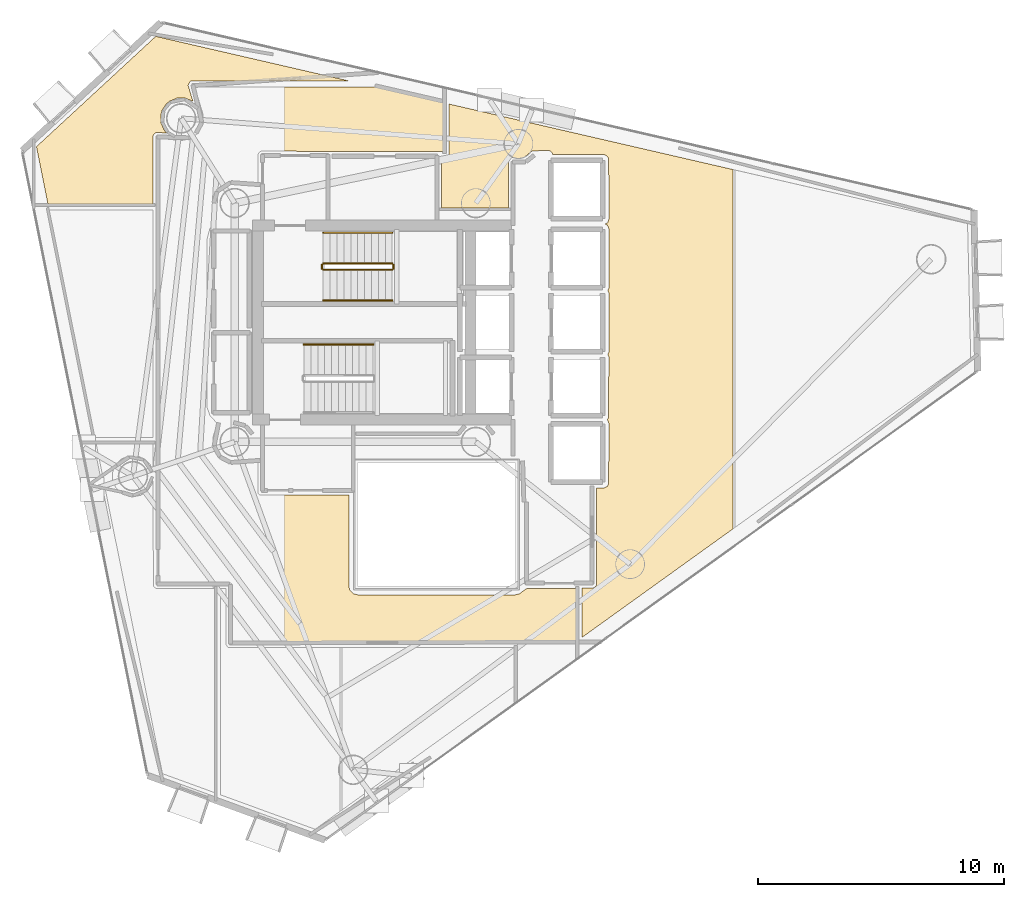
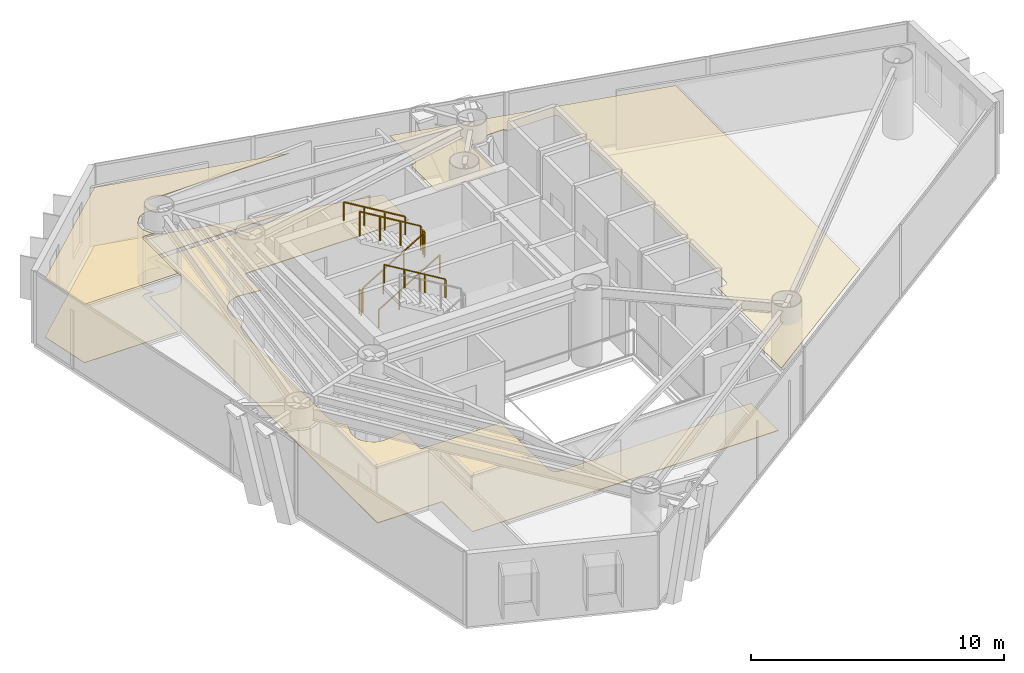
# One storey, part 21 of 22: 7 railings, 4 coverings.
"""IFC4 building model written with IfcOpenShell, lengths in metres."""

from ifc_helpers import new_model, si_unit, direction, frame, origin, origin_2d, place, context, subcontext, project, spatial, polyline, rectangle, outline, extrude, material, layer, layer_set, type_object, element, save


model = new_model("IFC4")

# Units and contexts
model_context = context("Model", 3, precision=1e-05, world=origin(), true_north=direction((0.0, 1.0)))
body_context = subcontext(model_context, "Body", "Model", "MODEL_VIEW")
ifc_project = project(units=[si_unit("LENGTHUNIT", "METRE"), si_unit("AREAUNIT", "SQUARE_METRE"), si_unit("VOLUMEUNIT", "CUBIC_METRE"), si_unit("PLANEANGLEUNIT", "RADIAN"), si_unit("MASSUNIT", "GRAM", prefix="KILO")], contexts=[model_context])

# Site, building, storey
site_placement = place(None, origin())
site = spatial("IfcSite", under=ifc_project, at=site_placement, CompositionType="ELEMENT")
building_placement = place(site_placement, origin())
building = spatial("IfcBuilding", under=site, at=building_placement, Name="Qianvela Tower", CompositionType="ELEMENT")
storey_placement = place(building_placement, frame((0.0, 0.0, 196.60009765625)))
storey = spatial("IfcBuildingStorey", under=building, at=storey_placement, Name="L50", CompositionType="ELEMENT", Elevation=196.60009765625)

# Coverings
ifc_material_1 = material(Name="Perforated Mineral Acoustic Ceiling Tile")
ifc_layer_1 = layer(ifc_material_1, 0.02490234375)
ifc_layer_set_1 = layer_set([ifc_layer_1], Name="Perforated Mineral Acoustic Ceiling Tile")
covering_type_1 = type_object("IfcCoveringType", Name="COV-CEIL-ACOUSTIC-25", PredefinedType="CEILING", material=ifc_layer_set_1)
covering_1_placement = place(storey_placement, frame((0.0, 0.0, 2.81494140625)))
element("IfcCovering", 1, at=covering_1_placement, inside=storey, type_object=covering_type_1, Name="L50 Acoustic Ceiling Bay 1 Collaborative Co-working Office L50-02", PredefinedType="CEILING", context=body_context, shape_type="SweptSolid", body=[
    extrude(outline(polyline([(42.70751953125, 17.920166015625), (43.157958984375, 17.92041015625), (43.165771484375, 17.9208984375), (43.173583984375, 17.921875), (43.18115234375, 17.923828125), (43.1884765625, 17.926513671875), (43.195556640625, 17.9296875), (43.202392578125, 17.933837890625), (43.20849609375, 17.9384765625), (43.21435546875, 17.94384765625), (43.2861328125, 18.015625), (43.29150390625, 18.021484375), (43.296142578125, 18.027587890625), (43.30029296875, 18.034423828125), (43.303466796875, 18.04150390625), (43.30615234375, 18.048828125), (43.30810546875, 18.056640625), (43.30908203125, 18.064208984375), (43.3095703125, 18.072265625), (43.309326171875, 21.980712890625), (43.60791015625, 21.982666015625), (43.615478515625, 21.983154296875), (43.623291015625, 21.984375), (43.630859375, 21.986083984375), (43.637939453125, 21.98876953125), (43.64501953125, 21.9921875), (43.716796875, 22.030517578125), (43.723388671875, 22.034423828125), (43.729736328125, 22.039306640625), (43.735595703125, 22.04443359375), (43.74072265625, 22.05029296875), (43.74560546875, 22.056640625), (43.74951171875, 22.063232421875), (43.787841796875, 22.135009765625), (43.791259765625, 22.14208984375), (43.7939453125, 22.1494140625), (43.7958984375, 22.156982421875), (43.796875, 22.164794921875), (43.79736328125, 22.172607421875), (43.79931640625, 24.61376953125), (43.799072265625, 24.62060546875), (43.798095703125, 24.627685546875), (43.79638671875, 24.634765625), (43.79443359375, 24.641357421875), (43.79150390625, 24.64794921875), (43.751220703125, 24.733154296875), (43.74755859375, 24.739990234375), (43.743408203125, 24.74658203125), (43.738525390625, 24.752197265625), (43.780517578125, 24.81494140625), (43.784423828125, 24.821533203125), (43.787841796875, 24.82861328125), (43.79052734375, 24.8359375), (43.79248046875, 24.843505859375), (43.793701171875, 24.851318359375), (43.7939453125, 24.859130859375), (43.800048828125, 27.2998046875), (43.799560546875, 27.307861328125), (43.79833984375, 27.315673828125), (43.79638671875, 27.323486328125), (43.793701171875, 27.3310546875), (43.7646484375, 27.39990234375), (43.793701171875, 27.468994140625), (43.79638671875, 27.476318359375), (43.79833984375, 27.484130859375), (43.799560546875, 27.491943359375), (43.800048828125, 27.5), (43.800048828125, 29.89990234375), (43.799560546875, 29.907958984375), (43.79833984375, 29.915771484375), (43.79638671875, 29.923583984375), (43.793701171875, 29.93115234375), (43.7646484375, 30.0), (43.793701171875, 30.06884765625), (43.79638671875, 30.076416015625), (43.79833984375, 30.084228515625), (43.799560546875, 30.092041015625), (43.800048828125, 30.10009765625), (43.79931640625, 32.513671875), (43.798828125, 32.522705078125), (43.79736328125, 32.53125), (43.794921875, 32.539794921875), (43.79150390625, 32.5478515625), (43.751220703125, 32.63330078125), (43.74755859375, 32.64013671875), (43.743408203125, 32.646728515625), (43.73828125, 32.652587890625), (43.732666015625, 32.658203125), (43.726806640625, 32.663330078125), (43.72021484375, 32.66748046875), (43.713134765625, 32.67138671875), (43.646484375, 32.702880859375), (43.722412109375, 32.739013671875), (43.729248046875, 32.74267578125), (43.73583984375, 32.746826171875), (43.741943359375, 32.751953125), (43.74755859375, 32.757568359375), (43.75244140625, 32.763427734375), (43.7568359375, 32.77001953125), (43.760498046875, 32.777099609375), (43.763427734375, 32.7841796875), (43.79541015625, 32.873046875), (43.79736328125, 32.879638671875), (43.798828125, 32.886474609375), (43.7998046875, 32.893310546875), (43.800048828125, 32.900146484375), (43.79736328125, 35.327392578125), (43.796875, 35.3359375), (43.79541015625, 35.344482421875), (43.793212890625, 35.352783203125), (43.7900390625, 35.36083984375), (43.785888671875, 35.368408203125), (43.7373046875, 35.44921875), (43.732666015625, 35.456298828125), (43.727294921875, 35.462890625), (43.72119140625, 35.46875), (43.71435546875, 35.47412109375), (43.70703125, 35.478515625), (43.699462890625, 35.482177734375), (43.624267578125, 35.51318359375), (43.616943359375, 35.515869140625), (43.609375, 35.517822265625), (43.6015625, 35.518798828125), (43.59375, 35.519287109375), (41.515625, 35.52001953125), (41.513916015625, 35.554931640625), (41.512939453125, 35.563232421875), (41.51123046875, 35.5712890625), (41.508544921875, 35.5791015625), (41.50537109375, 35.5869140625), (41.501220703125, 35.593994140625), (41.496337890625, 35.6005859375), (41.49072265625, 35.60693359375), (41.484619140625, 35.612548828125), (41.426513671875, 35.660400390625), (41.419921875, 35.6650390625), (41.413330078125, 35.6689453125), (41.406005859375, 35.67236328125), (41.398681640625, 35.675048828125), (41.39111328125, 35.677001953125), (41.38330078125, 35.677978515625), (41.37548828125, 35.678466796875), (40.726806640625, 35.676513671875), (40.718994140625, 35.67626953125), (40.71142578125, 35.675048828125), (40.7041015625, 35.67333984375), (40.697021484375, 35.670654296875), (40.68994140625, 35.66748046875), (40.683349609375, 35.663818359375), (40.677001953125, 35.6591796875), (40.35986328125, 35.40673828125), (40.129150390625, 35.36083984375), (39.884521484375, 35.402099609375), (39.87646484375, 35.403076171875), (39.8681640625, 35.4033203125), (39.860107421875, 35.402587890625), (39.85205078125, 35.40087890625), (39.84423828125, 35.398681640625), (39.8369140625, 35.3955078125), (39.82958984375, 35.3916015625), (39.822998046875, 35.38720703125), (39.7578125, 35.337890625), (39.75146484375, 35.332763671875), (39.745849609375, 35.326904296875), (39.74072265625, 35.3203125), (39.736328125, 35.3134765625), (39.732666015625, 35.30615234375), (39.729736328125, 35.298583984375), (39.727783203125, 35.29052734375), (39.726318359375, 35.282470703125), (39.72607421875, 35.2744140625), (39.72021484375, 33.342041015625), (37.010009765625, 33.342041015625), (37.010009765625, 35.40087890625), (37.165771484375, 35.401611328125), (37.174072265625, 35.402099609375), (37.18212890625, 35.4033203125), (37.190185546875, 35.405517578125), (37.197998046875, 35.408447265625), (37.205322265625, 35.412109375), (37.21240234375, 35.416748046875), (37.21875, 35.421875), (37.224609375, 35.427734375), (37.288818359375, 35.498291015625), (37.29345703125, 35.50390625), (37.297607421875, 35.510009765625), (37.30126953125, 35.5166015625), (37.30419921875, 35.523193359375), (37.306640625, 35.5302734375), (37.308349609375, 35.53759765625), (37.309326171875, 35.544921875), (37.3095703125, 35.552001953125), (37.31005859375, 37.57568359375), (48.844482421875, 34.9140625), (48.844482421875, 20.31689453125), (42.709716796875, 15.906494140625), (42.70751953125, 17.920166015625)])), origin(), (0.0, 0.0, 1.0), 0.02490234375),
])
covering_2_placement = place(storey_placement, frame((0.0, 0.0, 2.81494140625)))
element("IfcCovering", 2, at=covering_2_placement, inside=storey, type_object=covering_type_1, Name="L50 Acoustic Ceiling Quiet Desk Workspace L50-03", PredefinedType="CEILING", context=body_context, shape_type="SweptSolid", body=[
    extrude(outline(polyline([(25.845947265625, 36.39013671875), (25.457763671875, 36.42822265625), (25.449462890625, 36.4287109375), (25.44091796875, 36.427978515625), (25.4326171875, 36.4267578125), (25.424560546875, 36.424560546875), (25.416748046875, 36.42138671875), (25.409423828125, 36.41748046875), (25.40234375, 36.412841796875), (25.32568359375, 36.356201171875), (25.3193359375, 36.350830078125), (25.313720703125, 36.344970703125), (25.308349609375, 36.33837890625), (25.303955078125, 36.33154296875), (25.30029296875, 36.32421875), (25.29736328125, 36.31640625), (25.295166015625, 36.308349609375), (25.2939453125, 36.30029296875), (25.29345703125, 36.2919921875), (25.2900390625, 33.52197265625), (21.01708984375, 33.52197265625), (20.55078125, 35.843994140625), (25.398193359375, 40.32421875), (33.2626953125, 38.509521484375), (26.841064453125, 38.50390625), (26.833251953125, 38.50341796875), (26.825439453125, 38.50244140625), (26.81787109375, 38.50048828125), (26.810546875, 38.497802734375), (26.803466796875, 38.494384765625), (26.796630859375, 38.490478515625), (26.790283203125, 38.485595703125), (26.78466796875, 38.48046875), (26.779296875, 38.474609375), (26.774658203125, 38.468505859375), (26.770751953125, 38.461669921875), (26.722900390625, 38.3720703125), (26.719482421875, 38.364990234375), (26.716796875, 38.357666015625), (26.71484375, 38.35009765625), (26.7138671875, 38.34228515625), (26.71337890625, 38.33447265625), (26.713623046875, 38.32666015625), (26.71484375, 38.31884765625), (26.716796875, 38.311279296875), (26.906982421875, 37.68310546875), (26.904052734375, 37.685791015625), (26.897705078125, 37.6904296875), (26.890869140625, 37.694580078125), (26.8837890625, 37.69775390625), (26.60986328125, 37.811279296875), (26.6025390625, 37.81396484375), (26.594970703125, 37.81591796875), (26.587158203125, 37.81689453125), (26.579345703125, 37.8173828125), (26.28271484375, 37.8173828125), (26.27490234375, 37.81689453125), (26.26708984375, 37.81591796875), (26.259521484375, 37.81396484375), (26.252197265625, 37.811279296875), (25.978271484375, 37.69775390625), (25.97119140625, 37.694580078125), (25.96435546875, 37.6904296875), (25.9580078125, 37.685791015625), (25.8427734375, 37.59130859375), (25.8369140625, 37.5859375), (25.831787109375, 37.580078125), (25.8271484375, 37.57373046875), (25.662353515625, 37.327392578125), (25.658203125, 37.320556640625), (25.65478515625, 37.3134765625), (25.65234375, 37.30615234375), (25.60888671875, 37.16357421875), (25.607177734375, 37.156005859375), (25.60595703125, 37.148193359375), (25.605712890625, 37.140380859375), (25.605712890625, 36.84375), (25.60595703125, 36.8359375), (25.607177734375, 36.828125), (25.60888671875, 36.820556640625), (25.61181640625, 36.81298828125), (25.72509765625, 36.539306640625), (25.728515625, 36.531982421875), (25.732666015625, 36.525390625), (25.7373046875, 36.51904296875), (25.831787109375, 36.40380859375), (25.8369140625, 36.39794921875), (25.8427734375, 36.392822265625), (25.845947265625, 36.39013671875)])), origin(), (0.0, 0.0, 1.0), 0.02490234375),
])
ifc_material_2 = material(Name="Engineered Acoustic Oak Timber Flooring", Category="wood")
ifc_layer_2 = layer(ifc_material_2, 0.02001953125)
ifc_layer_set_2 = layer_set([ifc_layer_2], Name="Engineered Acoustic Oak Timber Flooring")
covering_type_2 = type_object("IfcCoveringType", Name="COV-FLOOR-OAK-20", PredefinedType="FLOORING", material=ifc_layer_set_2)
covering_3_placement = place(storey_placement, origin())
element("IfcCovering", 3, at=covering_3_placement, inside=storey, type_object=covering_type_2, Name="L50 Finish Flooring Quiet Desk Workspace L50-03", PredefinedType="FLOORING", context=body_context, shape_type="SweptSolid", body=[
    extrude(outline(polyline([(25.845947265625, 36.39013671875), (25.457763671875, 36.42822265625), (25.449462890625, 36.4287109375), (25.44091796875, 36.427978515625), (25.4326171875, 36.4267578125), (25.424560546875, 36.424560546875), (25.416748046875, 36.42138671875), (25.409423828125, 36.41748046875), (25.40234375, 36.412841796875), (25.32568359375, 36.356201171875), (25.3193359375, 36.350830078125), (25.313720703125, 36.344970703125), (25.308349609375, 36.33837890625), (25.303955078125, 36.33154296875), (25.30029296875, 36.32421875), (25.29736328125, 36.31640625), (25.295166015625, 36.308349609375), (25.2939453125, 36.30029296875), (25.29345703125, 36.2919921875), (25.2900390625, 33.52197265625), (21.01708984375, 33.52197265625), (20.55078125, 35.843994140625), (25.398193359375, 40.32421875), (33.2626953125, 38.509521484375), (26.841064453125, 38.50390625), (26.833251953125, 38.50341796875), (26.825439453125, 38.50244140625), (26.81787109375, 38.50048828125), (26.810546875, 38.497802734375), (26.803466796875, 38.494384765625), (26.796630859375, 38.490478515625), (26.790283203125, 38.485595703125), (26.78466796875, 38.48046875), (26.779296875, 38.474609375), (26.774658203125, 38.468505859375), (26.770751953125, 38.461669921875), (26.722900390625, 38.3720703125), (26.719482421875, 38.364990234375), (26.716796875, 38.357666015625), (26.71484375, 38.35009765625), (26.7138671875, 38.34228515625), (26.71337890625, 38.33447265625), (26.713623046875, 38.32666015625), (26.71484375, 38.31884765625), (26.716796875, 38.311279296875), (26.906982421875, 37.68310546875), (26.904052734375, 37.685791015625), (26.897705078125, 37.6904296875), (26.890869140625, 37.694580078125), (26.8837890625, 37.69775390625), (26.60986328125, 37.811279296875), (26.6025390625, 37.81396484375), (26.594970703125, 37.81591796875), (26.587158203125, 37.81689453125), (26.579345703125, 37.8173828125), (26.28271484375, 37.8173828125), (26.27490234375, 37.81689453125), (26.26708984375, 37.81591796875), (26.259521484375, 37.81396484375), (26.252197265625, 37.811279296875), (25.978271484375, 37.69775390625), (25.97119140625, 37.694580078125), (25.96435546875, 37.6904296875), (25.9580078125, 37.685791015625), (25.8427734375, 37.59130859375), (25.8369140625, 37.5859375), (25.831787109375, 37.580078125), (25.8271484375, 37.57373046875), (25.662353515625, 37.327392578125), (25.658203125, 37.320556640625), (25.65478515625, 37.3134765625), (25.65234375, 37.30615234375), (25.60888671875, 37.16357421875), (25.607177734375, 37.156005859375), (25.60595703125, 37.148193359375), (25.605712890625, 37.140380859375), (25.605712890625, 36.84375), (25.60595703125, 36.8359375), (25.607177734375, 36.828125), (25.60888671875, 36.820556640625), (25.61181640625, 36.81298828125), (25.72509765625, 36.539306640625), (25.728515625, 36.531982421875), (25.732666015625, 36.525390625), (25.7373046875, 36.51904296875), (25.831787109375, 36.40380859375), (25.8369140625, 36.39794921875), (25.8427734375, 36.392822265625), (25.845947265625, 36.39013671875)])), origin(), (0.0, 0.0, 1.0), 0.02001953125),
])
ifc_material_3 = material(Name="Honed Stone Terrazzo Flooring", Category="masonry")
ifc_layer_3 = layer(ifc_material_3, 0.030029296875)
ifc_layer_set_3 = layer_set([ifc_layer_3], Name="Honed Stone Terrazzo Flooring")
covering_type_3 = type_object("IfcCoveringType", Name="COV-FLOOR-TERRAZZO-30", PredefinedType="FLOORING", material=ifc_layer_set_3)
covering_4_placement = place(storey_placement, origin())
element("IfcCovering", 4, at=covering_4_placement, inside=storey, type_object=covering_type_3, Name="L50 Finish Flooring L50 Floor Corridor", PredefinedType="FLOORING", context=body_context, shape_type="SweptSolid", body=[
    extrude(outline(polyline([(27.30908203125, 36.801513671875), (27.311767578125, 36.808837890625), (27.313720703125, 36.81640625), (27.31494140625, 36.82421875), (27.315185546875, 36.83203125), (27.315185546875, 37.152099609375), (27.31494140625, 37.159912109375), (27.313720703125, 37.16748046875), (27.311767578125, 37.17529296875), (26.979736328125, 38.27001953125), (34.30029296875, 38.27001953125), (37.070068359375, 37.630859375), (37.070068359375, 35.64013671875), (29.68798828125, 35.660888671875), (29.680419921875, 35.660400390625), (29.672607421875, 35.6591796875), (29.664794921875, 35.657470703125), (29.657470703125, 35.65478515625), (29.650390625, 35.6513671875), (29.6435546875, 35.6474609375), (29.63720703125, 35.642578125), (29.63134765625, 35.637451171875), (29.626220703125, 35.631591796875), (29.576171875, 35.57080078125), (29.571533203125, 35.564453125), (29.5673828125, 35.5576171875), (29.564208984375, 35.550537109375), (29.561279296875, 35.543212890625), (29.5595703125, 35.53564453125), (29.558349609375, 35.52783203125), (29.55810546875, 35.52001953125), (29.55810546875, 34.35595703125), (28.60791015625, 34.44970703125), (28.60009765625, 34.449951171875), (28.59228515625, 34.44970703125), (28.43212890625, 34.433837890625), (28.42431640625, 34.4326171875), (28.416748046875, 34.430908203125), (28.409423828125, 34.42822265625), (28.11376953125, 34.3056640625), (28.106689453125, 34.302490234375), (28.10009765625, 34.29833984375), (28.09375, 34.293701171875), (28.087890625, 34.288330078125), (27.861572265625, 34.06201171875), (27.8564453125, 34.056396484375), (27.851806640625, 34.050048828125), (27.84765625, 34.043212890625), (27.84423828125, 34.0361328125), (27.7216796875, 33.740478515625), (27.71923828125, 33.733154296875), (27.71728515625, 33.7255859375), (27.716064453125, 33.7177734375), (27.700439453125, 33.557861328125), (27.699951171875, 33.550048828125), (27.700439453125, 33.542236328125), (27.716064453125, 33.382080078125), (27.71728515625, 33.37451171875), (27.71923828125, 33.36669921875), (27.865478515625, 32.884521484375), (27.60107421875, 32.52685546875), (27.5966796875, 32.5205078125), (27.593017578125, 32.513427734375), (27.590087890625, 32.50634765625), (27.587890625, 32.4990234375), (27.472412109375, 32.0458984375), (27.47119140625, 32.039306640625), (27.47021484375, 32.03271484375), (27.469970703125, 32.026123046875), (27.469970703125, 25.291259765625), (27.47021484375, 25.2841796875), (27.47119140625, 25.27734375), (27.47265625, 25.2705078125), (27.474853515625, 25.263916015625), (27.59326171875, 24.938232421875), (27.59619140625, 24.93115234375), (27.599853515625, 24.92431640625), (27.604248046875, 24.91796875), (27.609130859375, 24.911865234375), (27.89111328125, 24.599853515625), (27.71923828125, 24.033203125), (27.71728515625, 24.025634765625), (27.716064453125, 24.017822265625), (27.7158203125, 24.010009765625), (27.7158203125, 23.68994140625), (27.716064453125, 23.68212890625), (27.71728515625, 23.67431640625), (27.71923828125, 23.666748046875), (27.765869140625, 23.512939453125), (27.7685546875, 23.505615234375), (27.77197265625, 23.49853515625), (27.77587890625, 23.49169921875), (27.95361328125, 23.2255859375), (27.958251953125, 23.219482421875), (27.963623046875, 23.213623046875), (27.969482421875, 23.208251953125), (27.9755859375, 23.20361328125), (28.24169921875, 23.02587890625), (28.24853515625, 23.02197265625), (28.255615234375, 23.0185546875), (28.262939453125, 23.015869140625), (28.416748046875, 22.96923828125), (28.42431640625, 22.96728515625), (28.43212890625, 22.966064453125), (28.59228515625, 22.950439453125), (28.60009765625, 22.949951171875), (28.60791015625, 22.950439453125), (29.55810546875, 23.0439453125), (29.55810546875, 21.780029296875), (29.558349609375, 21.772216796875), (29.5595703125, 21.764404296875), (29.561279296875, 21.7568359375), (29.564208984375, 21.74951171875), (29.5673828125, 21.7421875), (29.571533203125, 21.735595703125), (29.576171875, 21.729248046875), (29.581298828125, 21.723388671875), (29.587158203125, 21.71826171875), (29.593505859375, 21.71337890625), (29.600341796875, 21.70947265625), (29.607421875, 21.7060546875), (29.61474609375, 21.703369140625), (29.622314453125, 21.701416015625), (29.630126953125, 21.700439453125), (29.637939453125, 21.699951171875), (33.239990234375, 21.699951171875), (33.239990234375, 18.0), (33.240478515625, 17.990234375), (33.242431640625, 17.980712890625), (33.275390625, 17.8486328125), (33.277587890625, 17.841796875), (33.2802734375, 17.8349609375), (33.283447265625, 17.82861328125), (33.287353515625, 17.822509765625), (33.29150390625, 17.81689453125), (33.29638671875, 17.811279296875), (33.411376953125, 17.696533203125), (33.41796875, 17.690673828125), (33.4248046875, 17.685791015625), (33.432373046875, 17.681396484375), (33.440185546875, 17.677978515625), (33.448486328125, 17.675537109375), (33.58056640625, 17.642333984375), (33.5869140625, 17.64111328125), (33.593505859375, 17.640380859375), (33.60009765625, 17.639892578125), (40.0, 17.639892578125), (40.006591796875, 17.640380859375), (40.012939453125, 17.64111328125), (40.019287109375, 17.642333984375), (40.1513671875, 17.675537109375), (40.15869140625, 17.677734375), (40.166015625, 17.6806640625), (40.172607421875, 17.68408203125), (40.17919921875, 17.6884765625), (40.45947265625, 17.89306640625), (42.469970703125, 17.899658203125), (42.469970703125, 15.734130859375), (42.464111328125, 15.72998046875), (28.47998046875, 15.72998046875), (28.47998046875, 18.050048828125), (28.4794921875, 18.057861328125), (28.478515625, 18.065673828125), (28.4765625, 18.0732421875), (28.473876953125, 18.08056640625), (28.470703125, 18.087646484375), (28.466552734375, 18.094482421875), (28.4619140625, 18.100830078125), (28.45654296875, 18.106689453125), (28.45068359375, 18.11181640625), (28.4443359375, 18.116455078125), (28.437744140625, 18.12060546875), (28.4306640625, 18.123779296875), (28.423095703125, 18.126708984375), (28.41552734375, 18.12841796875), (28.40771484375, 18.129638671875), (28.39990234375, 18.1298828125), (25.530029296875, 18.1298828125), (25.530029296875, 36.180419921875), (26.423095703125, 36.09228515625), (26.430908203125, 36.092041015625), (26.438720703125, 36.09228515625), (26.446533203125, 36.093505859375), (26.760498046875, 36.156005859375), (26.76806640625, 36.157958984375), (26.775390625, 36.160400390625), (26.782470703125, 36.163818359375), (26.789306640625, 36.16796875), (27.055419921875, 36.345703125), (27.0615234375, 36.350341796875), (27.0673828125, 36.355712890625), (27.07275390625, 36.361328125), (27.174560546875, 36.485595703125), (27.17919921875, 36.491943359375), (27.183349609375, 36.498779296875), (27.186767578125, 36.505859375), (27.30908203125, 36.801513671875)])), origin(), (0.0, 0.0, 1.0), 0.02978515625),
])

# Railings
ifc_material_4 = material(Name="Painted Tubular Steel Q355B", Category="steel")
railing_type_1 = type_object("IfcRailingType", Name="RL-STAIR-GUARD-1200", PredefinedType="GUARDRAIL", material=ifc_material_4)
railing_1_placement = place(storey_placement, frame((32.199951171875, 30.840087890625, 0.16796875)))
element("IfcRailing", 5, at=railing_1_placement, inside=storey, type_object=railing_type_1, Name="L50 ST-1 stair guard 1", PredefinedType="GUARDRAIL", context=body_context, shape_type="SweptSolid", body=[
    extrude(rectangle(XDim=0.050048828125, YDim=0.0400390625, at=origin_2d()), frame((0.0, 0.0, 1.179931640625), z_axis=(0.857242210791, 0.0, 0.514913383045), x_axis=(0.0, 1.0, 0.0)), (0.0, 0.0, 1.0), 3.266357421875),
    extrude(rectangle(XDim=0.050048828125, YDim=0.050048828125, at=origin_2d()), origin(), (0.0, 0.0, 1.0), 1.159912109375),
    extrude(rectangle(XDim=0.050048828125, YDim=0.050048828125, at=origin_2d()), frame((0.933349609375, 0.0, 0.560546875)), (0.0, 0.0, 1.0), 1.159912109375),
    extrude(rectangle(XDim=0.050048828125, YDim=0.050048828125, at=origin_2d()), frame((1.86669921875, 0.0, 1.121337890625)), (0.0, 0.0, 1.0), 1.159912109375),
    extrude(rectangle(XDim=0.050048828125, YDim=0.050048828125, at=origin_2d()), frame((2.800048828125, 0.0, 1.681884765625)), (0.0, 0.0, 1.0), 1.159912109375),
])
railing_2_placement = place(storey_placement, frame((35.050048828125, 30.889892578125, 1.849853515625)))
element("IfcRailing", 6, at=railing_2_placement, inside=storey, type_object=railing_type_1, Name="L50 ST-1 stair guard 2", PredefinedType="GUARDRAIL", context=body_context, shape_type="SweptSolid", body=[
    extrude(rectangle(XDim=0.050048828125, YDim=0.0400390625, at=origin_2d()), frame((0.0, 0.0, 1.179931640625), z_axis=(0.0, 1.0, 0.0), x_axis=(-1.0, 0.0, 0.0)), (0.0, 0.0, 1.0), 0.16015625),
    extrude(rectangle(XDim=0.050048828125, YDim=0.050048828125, at=origin_2d()), origin(), (0.0, 0.0, 1.0), 1.159912109375),
    extrude(rectangle(XDim=0.050048828125, YDim=0.050048828125, at=origin_2d()), frame((0.0, 0.16015625, 0.0)), (0.0, 0.0, 1.0), 1.159912109375),
])
railing_3_placement = place(storey_placement, frame((35.0, 31.10009765625, 2.01806640625)))
element("IfcRailing", 7, at=railing_3_placement, inside=storey, type_object=railing_type_1, Name="L50 ST-1 stair guard 3", PredefinedType="GUARDRAIL", context=body_context, shape_type="SweptSolid", body=[
    extrude(rectangle(XDim=0.050048828125, YDim=0.0400390625, at=origin_2d()), frame((0.0, 0.0, 1.179931640625), z_axis=(-0.857242210791, 0.0, 0.514913383045), x_axis=(0.0, -1.0, 0.0)), (0.0, 0.0, 1.0), 3.266357421875),
    extrude(rectangle(XDim=0.050048828125, YDim=0.050048828125, at=origin_2d()), origin(), (0.0, 0.0, 1.0), 1.159912109375),
    extrude(rectangle(XDim=0.050048828125, YDim=0.050048828125, at=origin_2d()), frame((-0.933349609375, 0.0, 0.560546875)), (0.0, 0.0, 1.0), 1.159912109375),
    extrude(rectangle(XDim=0.050048828125, YDim=0.050048828125, at=origin_2d()), frame((-1.86669921875, 0.0, 1.121337890625)), (0.0, 0.0, 1.0), 1.159912109375),
    extrude(rectangle(XDim=0.050048828125, YDim=0.050048828125, at=origin_2d()), frame((-2.800048828125, 0.0, 1.681884765625)), (0.0, 0.0, 1.0), 1.159912109375),
])
railing_4_placement = place(storey_placement, frame((32.14990234375, 30.889892578125, 0.0)))
element("IfcRailing", 8, at=railing_4_placement, inside=storey, type_object=railing_type_1, Name="L50 ST-1 stair guard 4", PredefinedType="GUARDRAIL", context=body_context, shape_type="SweptSolid", body=[
    extrude(rectangle(XDim=0.050048828125, YDim=0.0400390625, at=origin_2d()), frame((0.0, 0.0, 1.179931640625), z_axis=(0.0, 1.0, 0.0), x_axis=(-1.0, 0.0, 0.0)), (0.0, 0.0, 1.0), 0.16015625),
    extrude(rectangle(XDim=0.050048828125, YDim=0.050048828125, at=origin_2d()), origin(), (0.0, 0.0, 1.0), 1.159912109375),
    extrude(rectangle(XDim=0.050048828125, YDim=0.050048828125, at=origin_2d()), frame((0.0, 0.16015625, 0.0)), (0.0, 0.0, 1.0), 1.159912109375),
])
ifc_material_5 = material(Name="Brushed Stainless Steel 304", Category="steel")
railing_type_2 = type_object("IfcRailingType", Name="RL-STAIR-HANDRAIL-900", PredefinedType="HANDRAIL", material=ifc_material_5)
railing_5_placement = place(storey_placement, frame((32.199951171875, 29.590087890625, 0.16796875)))
element("IfcRailing", 9, at=railing_5_placement, inside=storey, type_object=railing_type_2, Name="L50 ST-1 stair handrail 1", PredefinedType="HANDRAIL", context=body_context, shape_type="SweptSolid", body=[
    extrude(rectangle(XDim=0.050048828125, YDim=0.0400390625, at=origin_2d()), frame((0.0, 0.0, 0.8798828125), z_axis=(0.857242210791, 0.0, 0.514913383045), x_axis=(0.0, 1.0, 0.0)), (0.0, 0.0, 1.0), 3.266357421875),
    extrude(rectangle(XDim=0.050048828125, YDim=0.050048828125, at=origin_2d()), origin(), (0.0, 0.0, 1.0), 0.85986328125),
    extrude(rectangle(XDim=0.050048828125, YDim=0.050048828125, at=origin_2d()), frame((0.933349609375, 0.0, 0.560546875)), (0.0, 0.0, 1.0), 0.85986328125),
    extrude(rectangle(XDim=0.050048828125, YDim=0.050048828125, at=origin_2d()), frame((1.86669921875, 0.0, 1.121337890625)), (0.0, 0.0, 1.0), 0.85986328125),
    extrude(rectangle(XDim=0.050048828125, YDim=0.050048828125, at=origin_2d()), frame((2.800048828125, 0.0, 1.681884765625)), (0.0, 0.0, 1.0), 0.85986328125),
])
for number, where, name in (
    (10, (35.0, 32.35009765625, 2.01806640625), "L50 ST-1 stair handrail 2"),
    (11, (34.219970703125, 27.81005859375, 2.01806640625), "L50 ST-2 stair handrail 2"),
):
    element("IfcRailing", number, at=place(storey_placement, frame(where)), inside=storey, type_object=railing_type_2, Name=name, PredefinedType="HANDRAIL", context=body_context, shape_type="SweptSolid", body=[
        extrude(rectangle(XDim=0.050048828125, YDim=0.0400390625, at=origin_2d()), frame((0.0, 0.0, 0.8798828125), z_axis=(-0.857242210791, 0.0, 0.514913383045), x_axis=(0.0, -1.0, 0.0)), (0.0, 0.0, 1.0), 3.266357421875),
        extrude(rectangle(XDim=0.050048828125, YDim=0.050048828125, at=origin_2d()), origin(), (0.0, 0.0, 1.0), 0.85986328125),
        extrude(rectangle(XDim=0.050048828125, YDim=0.050048828125, at=origin_2d()), frame((-0.933349609375, 0.0, 0.560546875)), (0.0, 0.0, 1.0), 0.85986328125),
        extrude(rectangle(XDim=0.050048828125, YDim=0.050048828125, at=origin_2d()), frame((-1.86669921875, 0.0, 1.121337890625)), (0.0, 0.0, 1.0), 0.85986328125),
        extrude(rectangle(XDim=0.050048828125, YDim=0.050048828125, at=origin_2d()), frame((-2.800048828125, 0.0, 1.681884765625)), (0.0, 0.0, 1.0), 0.85986328125),
    ])

save(model, "model.ifc")
